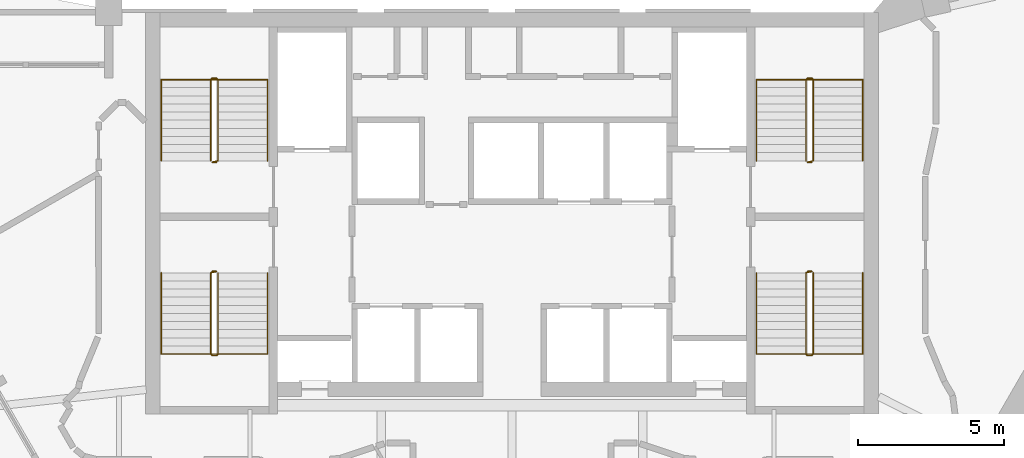
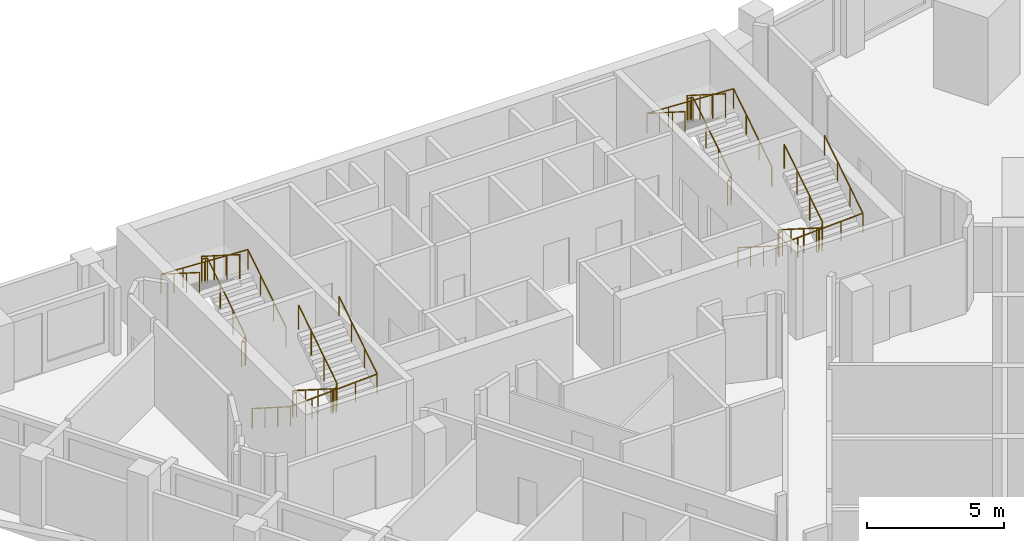
# One storey, part 9 of 9: 8 railings.
"""IFC4 building model written with IfcOpenShell, lengths in metres."""

from ifc_helpers import new_model, si_unit, direction, frame, origin, origin_2d, place, context, subcontext, project, spatial, circle, extrude, material, type_object, element, save


model = new_model("IFC4")

# Units and contexts
model_context = context("Model", 3, precision=1e-05, world=origin(), true_north=direction((0.0, 1.0)))
body_context = subcontext(model_context, "Body", "Model", "MODEL_VIEW")
ifc_project = project(units=[si_unit("LENGTHUNIT", "METRE"), si_unit("AREAUNIT", "SQUARE_METRE"), si_unit("VOLUMEUNIT", "CUBIC_METRE"), si_unit("PLANEANGLEUNIT", "RADIAN"), si_unit("MASSUNIT", "GRAM", prefix="KILO")], contexts=[model_context])

# Site, building, storey
site_placement = place(None, origin())
site = spatial("IfcSite", under=ifc_project, at=site_placement, CompositionType="ELEMENT")
building_placement = place(site_placement, origin())
building = spatial("IfcBuilding", under=site, at=building_placement, Name="Calabash Gate Tower", CompositionType="ELEMENT")
storey_placement = place(building_placement, frame((0.0, 0.0, 248.199951171875)))
storey = spatial("IfcBuildingStorey", under=building, at=storey_placement, Name="L59", CompositionType="ELEMENT", Elevation=248.199951171875)

# Railings
ifc_material_1 = material(Name="Black powder-coated steel balusters", Category="steel")
railing_type_1 = type_object("IfcRailingType", Name="Stair guard RL1100", PredefinedType="GUARDRAIL", material=ifc_material_1)
railing_1_placement = place(storey_placement, frame((-10.14990234375, 13.902587890625, 0.0)))
element("IfcRailing", 1, at=railing_1_placement, inside=storey, type_object=railing_type_1, Name="L59 ST1 stair guard 1", PredefinedType="GUARDRAIL", context=body_context, shape_type="SweptSolid", body=[
    extrude(circle(Radius=0.02392578125, at=origin_2d()), frame((0.0, 0.0, 1.076171875), z_axis=(-1.0, 0.0, 0.0), x_axis=(0.0, -1.0, 0.0)), (0.0, 0.0, 1.0), 0.150146484375),
    extrude(circle(Radius=0.02392578125, at=origin_2d()), frame((-0.150146484375, 0.0, 1.076171875), z_axis=(0.735524641326, 0.184105679453, 0.652003528208), x_axis=(-0.242814311512, 0.970072785993, 0.0)), (0.0, 0.0, 1.0), 0.271728515625),
    extrude(circle(Radius=0.02392578125, at=origin_2d()), frame((0.0498046875, 0.050048828125, 1.25341796875), z_axis=(0.0, 0.844041424197, 0.536277982245), x_axis=(-1.0, 0.0, 0.0)), (0.0, 0.0, 1.0), 3.3056640625),
    extrude(circle(Radius=0.02392578125, at=origin_2d()), frame((0.0498046875, 2.840087890625, 3.02587890625), z_axis=(-0.707106781187, 0.707106781187, 0.0), x_axis=(-0.707106781187, -0.707106781187, 0.0)), (0.0, 0.0, 1.0), 0.0703125),
    extrude(circle(Radius=0.02392578125, at=origin_2d()), frame((0.0, 2.889892578125, 3.02587890625), z_axis=(-1.0, 0.0, 0.0), x_axis=(0.0, -1.0, 0.0)), (0.0, 0.0, 1.0), 0.150146484375),
    extrude(circle(Radius=0.02392578125, at=origin_2d()), frame((-0.150146484375, 2.889892578125, 3.02587890625), z_axis=(-0.262009983441, -0.260731885961, 0.929176868105), x_axis=(0.705375805398, -0.708833529934, 0.0)), (0.0, 0.0, 1.0), 0.19091796875),
    extrude(circle(Radius=0.02392578125, at=origin_2d()), frame((-0.2001953125, 2.840087890625, 3.20361328125), z_axis=(0.0, -0.844041424197, 0.536277982245), x_axis=(1.0, 0.0, 0.0)), (0.0, 0.0, 1.0), 3.3056640625),
    extrude(circle(Radius=0.02099609375, at=origin_2d()), origin(), (0.0, 0.0, 1.0), 1.052001953125),
    extrude(circle(Radius=0.02099609375, at=origin_2d()), frame((-0.150146484375, 0.0, 0.0)), (0.0, 0.0, 1.0), 1.052001953125),
    extrude(circle(Radius=0.02099609375, at=origin_2d()), frame((0.0498046875, 0.050048828125, 0.17724609375)), (0.0, 0.0, 1.0), 1.052001953125),
    extrude(circle(Radius=0.02099609375, at=origin_2d()), frame((0.0498046875, 0.97998046875, 0.76806640625)), (0.0, 0.0, 1.0), 1.052001953125),
    extrude(circle(Radius=0.02099609375, at=origin_2d()), frame((0.0498046875, 1.91015625, 1.359130859375)), (0.0, 0.0, 1.0), 1.052001953125),
    extrude(circle(Radius=0.02099609375, at=origin_2d()), frame((0.0498046875, 2.840087890625, 1.949951171875)), (0.0, 0.0, 1.0), 1.052001953125),
    extrude(circle(Radius=0.02099609375, at=origin_2d()), frame((0.0, 2.889892578125, 1.949951171875)), (0.0, 0.0, 1.0), 1.052001953125),
    extrude(circle(Radius=0.02099609375, at=origin_2d()), frame((-0.150146484375, 2.889892578125, 1.949951171875)), (0.0, 0.0, 1.0), 1.052001953125),
    extrude(circle(Radius=0.02099609375, at=origin_2d()), frame((-0.2001953125, 2.840087890625, 2.12744140625)), (0.0, 0.0, 1.0), 1.052001953125),
    extrude(circle(Radius=0.02099609375, at=origin_2d()), frame((-0.2001953125, 1.91015625, 2.71826171875)), (0.0, 0.0, 1.0), 1.052001953125),
    extrude(circle(Radius=0.02099609375, at=origin_2d()), frame((-0.2001953125, 0.97998046875, 3.309326171875)), (0.0, 0.0, 1.0), 1.052001953125),
    extrude(circle(Radius=0.02099609375, at=origin_2d()), frame((-0.2001953125, 0.050048828125, 3.900146484375)), (0.0, 0.0, 1.0), 1.052001953125),
])
railing_2_placement = place(storey_placement, frame((-10.300048828125, 10.152587890625, 0.0)))
element("IfcRailing", 2, at=railing_2_placement, inside=storey, type_object=railing_type_1, Name="L59 ST2 stair guard 1", PredefinedType="GUARDRAIL", context=body_context, shape_type="SweptSolid", body=[
    extrude(circle(Radius=0.02392578125, at=origin_2d()), frame((0.0, 0.0, 1.076171875), z_axis=(1.0, 0.0, 0.0), x_axis=(0.0, 1.0, 0.0)), (0.0, 0.0, 1.0), 0.150146484375),
    extrude(circle(Radius=0.02392578125, at=origin_2d()), frame((0.150146484375, 0.0, 1.076171875), z_axis=(-0.735936453418, -0.183984113355, 0.651573006319), x_axis=(0.242535625036, -0.970142500145, 0.0)), (0.0, 0.0, 1.0), 0.27197265625),
    extrude(circle(Radius=0.02392578125, at=origin_2d()), frame((-0.050048828125, -0.050048828125, 1.25341796875), z_axis=(0.0, -0.844041424197, 0.536277982245), x_axis=(1.0, 0.0, 0.0)), (0.0, 0.0, 1.0), 3.3056640625),
    extrude(circle(Radius=0.02392578125, at=origin_2d()), frame((-0.050048828125, -2.840087890625, 3.02587890625), z_axis=(0.708833529934, -0.705375805398, 0.0), x_axis=(0.705375805398, 0.708833529934, 0.0)), (0.0, 0.0, 1.0), 0.070556640625),
    extrude(circle(Radius=0.02392578125, at=origin_2d()), frame((0.0, -2.889892578125, 3.02587890625), z_axis=(1.0, 0.0, 0.0), x_axis=(0.0, 1.0, 0.0)), (0.0, 0.0, 1.0), 0.150146484375),
    extrude(circle(Radius=0.02392578125, at=origin_2d()), frame((0.150146484375, -2.889892578125, 3.02587890625), z_axis=(0.26081902908, 0.26081902908, 0.92948742226), x_axis=(-0.707106781187, 0.707106781187, 0.0)), (0.0, 0.0, 1.0), 0.19091796875),
    extrude(circle(Radius=0.02392578125, at=origin_2d()), frame((0.199951171875, -2.840087890625, 3.20361328125), z_axis=(0.0, 0.844041424197, 0.536277982245), x_axis=(-1.0, 0.0, 0.0)), (0.0, 0.0, 1.0), 3.3056640625),
    extrude(circle(Radius=0.02099609375, at=origin_2d()), origin(), (0.0, 0.0, 1.0), 1.052001953125),
    extrude(circle(Radius=0.02099609375, at=origin_2d()), frame((0.150146484375, 0.0, 0.0)), (0.0, 0.0, 1.0), 1.052001953125),
    extrude(circle(Radius=0.02099609375, at=origin_2d()), frame((-0.050048828125, -0.050048828125, 0.17724609375)), (0.0, 0.0, 1.0), 1.052001953125),
    extrude(circle(Radius=0.02099609375, at=origin_2d()), frame((-0.050048828125, -0.97998046875, 0.76806640625)), (0.0, 0.0, 1.0), 1.052001953125),
    extrude(circle(Radius=0.02099609375, at=origin_2d()), frame((-0.050048828125, -1.91015625, 1.359130859375)), (0.0, 0.0, 1.0), 1.052001953125),
    extrude(circle(Radius=0.02099609375, at=origin_2d()), frame((-0.050048828125, -2.840087890625, 1.949951171875)), (0.0, 0.0, 1.0), 1.052001953125),
    extrude(circle(Radius=0.02099609375, at=origin_2d()), frame((0.0, -2.889892578125, 1.949951171875)), (0.0, 0.0, 1.0), 1.052001953125),
    extrude(circle(Radius=0.02099609375, at=origin_2d()), frame((0.150146484375, -2.889892578125, 1.949951171875)), (0.0, 0.0, 1.0), 1.052001953125),
    extrude(circle(Radius=0.02099609375, at=origin_2d()), frame((0.199951171875, -2.840087890625, 2.12744140625)), (0.0, 0.0, 1.0), 1.052001953125),
    extrude(circle(Radius=0.02099609375, at=origin_2d()), frame((0.199951171875, -1.91015625, 2.71826171875)), (0.0, 0.0, 1.0), 1.052001953125),
    extrude(circle(Radius=0.02099609375, at=origin_2d()), frame((0.199951171875, -0.97998046875, 3.309326171875)), (0.0, 0.0, 1.0), 1.052001953125),
    extrude(circle(Radius=0.02099609375, at=origin_2d()), frame((0.199951171875, -0.050048828125, 3.900146484375)), (0.0, 0.0, 1.0), 1.052001953125),
])
railing_3_placement = place(storey_placement, frame((10.300048828125, 13.902587890625, 0.0)))
element("IfcRailing", 3, at=railing_3_placement, inside=storey, type_object=railing_type_1, Name="L59 ST3 stair guard 1", PredefinedType="GUARDRAIL", context=body_context, shape_type="SweptSolid", body=[
    extrude(circle(Radius=0.02392578125, at=origin_2d()), frame((0.0, 0.0, 1.076171875), z_axis=(-1.0, 0.0, 0.0), x_axis=(0.0, -1.0, 0.0)), (0.0, 0.0, 1.0), 0.150146484375),
    extrude(circle(Radius=0.02392578125, at=origin_2d()), frame((-0.150146484375, 0.0, 1.076171875), z_axis=(0.735936453418, 0.183984113355, 0.651573006319), x_axis=(-0.242535625036, 0.970142500145, 0.0)), (0.0, 0.0, 1.0), 0.27197265625),
    extrude(circle(Radius=0.02392578125, at=origin_2d()), frame((0.050048828125, 0.050048828125, 1.25341796875), z_axis=(0.0, 0.844041424197, 0.536277982245), x_axis=(-1.0, 0.0, 0.0)), (0.0, 0.0, 1.0), 3.3056640625),
    extrude(circle(Radius=0.02392578125, at=origin_2d()), frame((0.050048828125, 2.840087890625, 3.02587890625), z_axis=(-0.708833529934, 0.705375805398, 0.0), x_axis=(-0.705375805398, -0.708833529934, 0.0)), (0.0, 0.0, 1.0), 0.070556640625),
    extrude(circle(Radius=0.02392578125, at=origin_2d()), frame((0.0, 2.889892578125, 3.02587890625), z_axis=(-1.0, 0.0, 0.0), x_axis=(0.0, -1.0, 0.0)), (0.0, 0.0, 1.0), 0.150146484375),
    extrude(circle(Radius=0.02392578125, at=origin_2d()), frame((-0.150146484375, 2.889892578125, 3.02587890625), z_axis=(-0.26081902908, -0.26081902908, 0.92948742226), x_axis=(0.707106781187, -0.707106781187, 0.0)), (0.0, 0.0, 1.0), 0.19091796875),
    extrude(circle(Radius=0.02392578125, at=origin_2d()), frame((-0.199951171875, 2.840087890625, 3.20361328125), z_axis=(0.0, -0.844041424197, 0.536277982245), x_axis=(1.0, 0.0, 0.0)), (0.0, 0.0, 1.0), 3.3056640625),
    extrude(circle(Radius=0.02099609375, at=origin_2d()), origin(), (0.0, 0.0, 1.0), 1.052001953125),
    extrude(circle(Radius=0.02099609375, at=origin_2d()), frame((-0.150146484375, 0.0, 0.0)), (0.0, 0.0, 1.0), 1.052001953125),
    extrude(circle(Radius=0.02099609375, at=origin_2d()), frame((0.050048828125, 0.050048828125, 0.17724609375)), (0.0, 0.0, 1.0), 1.052001953125),
    extrude(circle(Radius=0.02099609375, at=origin_2d()), frame((0.050048828125, 0.97998046875, 0.76806640625)), (0.0, 0.0, 1.0), 1.052001953125),
    extrude(circle(Radius=0.02099609375, at=origin_2d()), frame((0.050048828125, 1.91015625, 1.359130859375)), (0.0, 0.0, 1.0), 1.052001953125),
    extrude(circle(Radius=0.02099609375, at=origin_2d()), frame((0.050048828125, 2.840087890625, 1.949951171875)), (0.0, 0.0, 1.0), 1.052001953125),
    extrude(circle(Radius=0.02099609375, at=origin_2d()), frame((0.0, 2.889892578125, 1.949951171875)), (0.0, 0.0, 1.0), 1.052001953125),
    extrude(circle(Radius=0.02099609375, at=origin_2d()), frame((-0.150146484375, 2.889892578125, 1.949951171875)), (0.0, 0.0, 1.0), 1.052001953125),
    extrude(circle(Radius=0.02099609375, at=origin_2d()), frame((-0.199951171875, 2.840087890625, 2.12744140625)), (0.0, 0.0, 1.0), 1.052001953125),
    extrude(circle(Radius=0.02099609375, at=origin_2d()), frame((-0.199951171875, 1.91015625, 2.71826171875)), (0.0, 0.0, 1.0), 1.052001953125),
    extrude(circle(Radius=0.02099609375, at=origin_2d()), frame((-0.199951171875, 0.97998046875, 3.309326171875)), (0.0, 0.0, 1.0), 1.052001953125),
    extrude(circle(Radius=0.02099609375, at=origin_2d()), frame((-0.199951171875, 0.050048828125, 3.900146484375)), (0.0, 0.0, 1.0), 1.052001953125),
])
railing_4_placement = place(storey_placement, frame((10.14990234375, 10.152587890625, 0.0)))
element("IfcRailing", 4, at=railing_4_placement, inside=storey, type_object=railing_type_1, Name="L59 ST4 stair guard 1", PredefinedType="GUARDRAIL", context=body_context, shape_type="SweptSolid", body=[
    extrude(circle(Radius=0.02392578125, at=origin_2d()), frame((0.0, 0.0, 1.076171875), z_axis=(1.0, 0.0, 0.0), x_axis=(0.0, 1.0, 0.0)), (0.0, 0.0, 1.0), 0.150146484375),
    extrude(circle(Radius=0.02392578125, at=origin_2d()), frame((0.150146484375, 0.0, 1.076171875), z_axis=(-0.735524641326, -0.184105679453, 0.652003528208), x_axis=(0.242814311512, -0.970072785993, 0.0)), (0.0, 0.0, 1.0), 0.271728515625),
    extrude(circle(Radius=0.02392578125, at=origin_2d()), frame((-0.0498046875, -0.050048828125, 1.25341796875), z_axis=(0.0, -0.844041424197, 0.536277982245), x_axis=(1.0, 0.0, 0.0)), (0.0, 0.0, 1.0), 3.3056640625),
    extrude(circle(Radius=0.02392578125, at=origin_2d()), frame((-0.0498046875, -2.840087890625, 3.02587890625), z_axis=(0.707106781187, -0.707106781187, 0.0), x_axis=(0.707106781187, 0.707106781187, 0.0)), (0.0, 0.0, 1.0), 0.0703125),
    extrude(circle(Radius=0.02392578125, at=origin_2d()), frame((0.0, -2.889892578125, 3.02587890625), z_axis=(1.0, 0.0, 0.0), x_axis=(0.0, 1.0, 0.0)), (0.0, 0.0, 1.0), 0.150146484375),
    extrude(circle(Radius=0.02392578125, at=origin_2d()), frame((0.150146484375, -2.889892578125, 3.02587890625), z_axis=(0.262009983441, 0.260731885961, 0.929176868105), x_axis=(-0.705375805398, 0.708833529934, 0.0)), (0.0, 0.0, 1.0), 0.19091796875),
    extrude(circle(Radius=0.02392578125, at=origin_2d()), frame((0.2001953125, -2.840087890625, 3.20361328125), z_axis=(0.0, 0.844041424197, 0.536277982245), x_axis=(-1.0, 0.0, 0.0)), (0.0, 0.0, 1.0), 3.3056640625),
    extrude(circle(Radius=0.02099609375, at=origin_2d()), origin(), (0.0, 0.0, 1.0), 1.052001953125),
    extrude(circle(Radius=0.02099609375, at=origin_2d()), frame((0.150146484375, 0.0, 0.0)), (0.0, 0.0, 1.0), 1.052001953125),
    extrude(circle(Radius=0.02099609375, at=origin_2d()), frame((-0.0498046875, -0.050048828125, 0.17724609375)), (0.0, 0.0, 1.0), 1.052001953125),
    extrude(circle(Radius=0.02099609375, at=origin_2d()), frame((-0.0498046875, -0.97998046875, 0.76806640625)), (0.0, 0.0, 1.0), 1.052001953125),
    extrude(circle(Radius=0.02099609375, at=origin_2d()), frame((-0.0498046875, -1.91015625, 1.359130859375)), (0.0, 0.0, 1.0), 1.052001953125),
    extrude(circle(Radius=0.02099609375, at=origin_2d()), frame((-0.0498046875, -2.840087890625, 1.949951171875)), (0.0, 0.0, 1.0), 1.052001953125),
    extrude(circle(Radius=0.02099609375, at=origin_2d()), frame((0.0, -2.889892578125, 1.949951171875)), (0.0, 0.0, 1.0), 1.052001953125),
    extrude(circle(Radius=0.02099609375, at=origin_2d()), frame((0.150146484375, -2.889892578125, 1.949951171875)), (0.0, 0.0, 1.0), 1.052001953125),
    extrude(circle(Radius=0.02099609375, at=origin_2d()), frame((0.2001953125, -2.840087890625, 2.12744140625)), (0.0, 0.0, 1.0), 1.052001953125),
    extrude(circle(Radius=0.02099609375, at=origin_2d()), frame((0.2001953125, -1.91015625, 2.71826171875)), (0.0, 0.0, 1.0), 1.052001953125),
    extrude(circle(Radius=0.02099609375, at=origin_2d()), frame((0.2001953125, -0.97998046875, 3.309326171875)), (0.0, 0.0, 1.0), 1.052001953125),
    extrude(circle(Radius=0.02099609375, at=origin_2d()), frame((0.2001953125, -0.050048828125, 3.900146484375)), (0.0, 0.0, 1.0), 1.052001953125),
])
ifc_material_2 = material(Name="Black powder-coated steel tube 48 mm", Category="steel")
railing_type_2 = type_object("IfcRailingType", Name="Stair handrail RL900", PredefinedType="HANDRAIL", material=ifc_material_2)
railing_5_placement = place(storey_placement, frame((-8.39990234375, 13.95263671875, 0.17724609375)))
element("IfcRailing", 5, at=railing_5_placement, inside=storey, type_object=railing_type_2, Name="L59 ST1 stair handrail 1", PredefinedType="HANDRAIL", context=body_context, shape_type="SweptSolid", body=[
    extrude(circle(Radius=0.02392578125, at=origin_2d()), frame((0.0, 0.0, 0.8759765625), z_axis=(0.0, 0.844041424197, 0.536277982245), x_axis=(-1.0, 0.0, 0.0)), (0.0, 0.0, 1.0), 3.3056640625),
    extrude(circle(Radius=0.02392578125, at=origin_2d()), frame((0.0, 2.7900390625, 2.6484375), z_axis=(-0.998819872233, 0.0, 0.048568125685), x_axis=(0.0, -1.0, 0.0)), (0.0, 0.0, 1.0), 3.654541015625),
    extrude(circle(Radius=0.02392578125, at=origin_2d()), frame((-3.650146484375, 2.7900390625, 2.826171875), z_axis=(0.0, -0.844041424197, 0.536277982245), x_axis=(1.0, 0.0, 0.0)), (0.0, 0.0, 1.0), 3.3056640625),
    extrude(circle(Radius=0.02099609375, at=origin_2d()), origin(), (0.0, 0.0, 1.0), 0.851806640625),
    extrude(circle(Radius=0.02099609375, at=origin_2d()), frame((0.0, 0.929931640625, 0.5908203125)), (0.0, 0.0, 1.0), 0.851806640625),
    extrude(circle(Radius=0.02099609375, at=origin_2d()), frame((0.0, 1.860107421875, 1.181884765625)), (0.0, 0.0, 1.0), 0.851806640625),
    extrude(circle(Radius=0.02099609375, at=origin_2d()), frame((0.0, 2.7900390625, 1.772705078125)), (0.0, 0.0, 1.0), 0.851806640625),
    extrude(circle(Radius=0.02099609375, at=origin_2d()), frame((-0.91259765625, 2.7900390625, 1.817138671875)), (0.0, 0.0, 1.0), 0.851806640625),
    extrude(circle(Radius=0.02099609375, at=origin_2d()), frame((-1.8251953125, 2.7900390625, 1.861328125)), (0.0, 0.0, 1.0), 0.851806640625),
    extrude(circle(Radius=0.02099609375, at=origin_2d()), frame((-2.737548828125, 2.7900390625, 1.90576171875)), (0.0, 0.0, 1.0), 0.851806640625),
    extrude(circle(Radius=0.02099609375, at=origin_2d()), frame((-3.650146484375, 2.7900390625, 1.9501953125)), (0.0, 0.0, 1.0), 0.851806640625),
    extrude(circle(Radius=0.02099609375, at=origin_2d()), frame((-3.650146484375, 1.860107421875, 2.541015625)), (0.0, 0.0, 1.0), 0.851806640625),
    extrude(circle(Radius=0.02099609375, at=origin_2d()), frame((-3.650146484375, 0.929931640625, 3.132080078125)), (0.0, 0.0, 1.0), 0.851806640625),
    extrude(circle(Radius=0.02099609375, at=origin_2d()), frame((-3.650146484375, 0.0, 3.722900390625)), (0.0, 0.0, 1.0), 0.851806640625),
])
railing_6_placement = place(storey_placement, frame((-12.050048828125, 10.1025390625, 0.17724609375)))
element("IfcRailing", 6, at=railing_6_placement, inside=storey, type_object=railing_type_2, Name="L59 ST2 stair handrail 1", PredefinedType="HANDRAIL", context=body_context, shape_type="SweptSolid", body=[
    extrude(circle(Radius=0.02392578125, at=origin_2d()), frame((0.0, 0.0, 0.8759765625), z_axis=(0.0, -0.844041424197, 0.536277982245), x_axis=(1.0, 0.0, 0.0)), (0.0, 0.0, 1.0), 3.3056640625),
    extrude(circle(Radius=0.02392578125, at=origin_2d()), frame((0.0, -2.7900390625, 2.6484375), z_axis=(0.998819872233, 0.0, 0.048568125685), x_axis=(0.0, 1.0, 0.0)), (0.0, 0.0, 1.0), 3.654541015625),
    extrude(circle(Radius=0.02392578125, at=origin_2d()), frame((3.650146484375, -2.7900390625, 2.826171875), z_axis=(0.0, 0.844041424197, 0.536277982245), x_axis=(-1.0, 0.0, 0.0)), (0.0, 0.0, 1.0), 3.3056640625),
    extrude(circle(Radius=0.02099609375, at=origin_2d()), origin(), (0.0, 0.0, 1.0), 0.851806640625),
    extrude(circle(Radius=0.02099609375, at=origin_2d()), frame((0.0, -0.929931640625, 0.5908203125)), (0.0, 0.0, 1.0), 0.851806640625),
    extrude(circle(Radius=0.02099609375, at=origin_2d()), frame((0.0, -1.860107421875, 1.181884765625)), (0.0, 0.0, 1.0), 0.851806640625),
    extrude(circle(Radius=0.02099609375, at=origin_2d()), frame((0.0, -2.7900390625, 1.772705078125)), (0.0, 0.0, 1.0), 0.851806640625),
    extrude(circle(Radius=0.02099609375, at=origin_2d()), frame((0.91259765625, -2.7900390625, 1.817138671875)), (0.0, 0.0, 1.0), 0.851806640625),
    extrude(circle(Radius=0.02099609375, at=origin_2d()), frame((1.8251953125, -2.7900390625, 1.861328125)), (0.0, 0.0, 1.0), 0.851806640625),
    extrude(circle(Radius=0.02099609375, at=origin_2d()), frame((2.737548828125, -2.7900390625, 1.90576171875)), (0.0, 0.0, 1.0), 0.851806640625),
    extrude(circle(Radius=0.02099609375, at=origin_2d()), frame((3.650146484375, -2.7900390625, 1.9501953125)), (0.0, 0.0, 1.0), 0.851806640625),
    extrude(circle(Radius=0.02099609375, at=origin_2d()), frame((3.650146484375, -1.860107421875, 2.541015625)), (0.0, 0.0, 1.0), 0.851806640625),
    extrude(circle(Radius=0.02099609375, at=origin_2d()), frame((3.650146484375, -0.929931640625, 3.132080078125)), (0.0, 0.0, 1.0), 0.851806640625),
    extrude(circle(Radius=0.02099609375, at=origin_2d()), frame((3.650146484375, 0.0, 3.722900390625)), (0.0, 0.0, 1.0), 0.851806640625),
])
railing_7_placement = place(storey_placement, frame((12.050048828125, 13.95263671875, 0.17724609375)))
element("IfcRailing", 7, at=railing_7_placement, inside=storey, type_object=railing_type_2, Name="L59 ST3 stair handrail 1", PredefinedType="HANDRAIL", context=body_context, shape_type="SweptSolid", body=[
    extrude(circle(Radius=0.02392578125, at=origin_2d()), frame((0.0, 0.0, 0.8759765625), z_axis=(0.0, 0.844041424197, 0.536277982245), x_axis=(-1.0, 0.0, 0.0)), (0.0, 0.0, 1.0), 3.3056640625),
    extrude(circle(Radius=0.02392578125, at=origin_2d()), frame((0.0, 2.7900390625, 2.6484375), z_axis=(-0.998819872233, 0.0, 0.048568125685), x_axis=(0.0, -1.0, 0.0)), (0.0, 0.0, 1.0), 3.654541015625),
    extrude(circle(Radius=0.02392578125, at=origin_2d()), frame((-3.650146484375, 2.7900390625, 2.826171875), z_axis=(0.0, -0.844041424197, 0.536277982245), x_axis=(1.0, 0.0, 0.0)), (0.0, 0.0, 1.0), 3.3056640625),
    extrude(circle(Radius=0.02099609375, at=origin_2d()), origin(), (0.0, 0.0, 1.0), 0.851806640625),
    extrude(circle(Radius=0.02099609375, at=origin_2d()), frame((0.0, 0.929931640625, 0.5908203125)), (0.0, 0.0, 1.0), 0.851806640625),
    extrude(circle(Radius=0.02099609375, at=origin_2d()), frame((0.0, 1.860107421875, 1.181884765625)), (0.0, 0.0, 1.0), 0.851806640625),
    extrude(circle(Radius=0.02099609375, at=origin_2d()), frame((0.0, 2.7900390625, 1.772705078125)), (0.0, 0.0, 1.0), 0.851806640625),
    extrude(circle(Radius=0.02099609375, at=origin_2d()), frame((-0.91259765625, 2.7900390625, 1.817138671875)), (0.0, 0.0, 1.0), 0.851806640625),
    extrude(circle(Radius=0.02099609375, at=origin_2d()), frame((-1.8251953125, 2.7900390625, 1.861328125)), (0.0, 0.0, 1.0), 0.851806640625),
    extrude(circle(Radius=0.02099609375, at=origin_2d()), frame((-2.737548828125, 2.7900390625, 1.90576171875)), (0.0, 0.0, 1.0), 0.851806640625),
    extrude(circle(Radius=0.02099609375, at=origin_2d()), frame((-3.650146484375, 2.7900390625, 1.9501953125)), (0.0, 0.0, 1.0), 0.851806640625),
    extrude(circle(Radius=0.02099609375, at=origin_2d()), frame((-3.650146484375, 1.860107421875, 2.541015625)), (0.0, 0.0, 1.0), 0.851806640625),
    extrude(circle(Radius=0.02099609375, at=origin_2d()), frame((-3.650146484375, 0.929931640625, 3.132080078125)), (0.0, 0.0, 1.0), 0.851806640625),
    extrude(circle(Radius=0.02099609375, at=origin_2d()), frame((-3.650146484375, 0.0, 3.722900390625)), (0.0, 0.0, 1.0), 0.851806640625),
])
railing_8_placement = place(storey_placement, frame((8.39990234375, 10.1025390625, 0.17724609375)))
element("IfcRailing", 8, at=railing_8_placement, inside=storey, type_object=railing_type_2, Name="L59 ST4 stair handrail 1", PredefinedType="HANDRAIL", context=body_context, shape_type="SweptSolid", body=[
    extrude(circle(Radius=0.02392578125, at=origin_2d()), frame((0.0, 0.0, 0.8759765625), z_axis=(0.0, -0.844041424197, 0.536277982245), x_axis=(1.0, 0.0, 0.0)), (0.0, 0.0, 1.0), 3.3056640625),
    extrude(circle(Radius=0.02392578125, at=origin_2d()), frame((0.0, -2.7900390625, 2.6484375), z_axis=(0.998819872233, 0.0, 0.048568125685), x_axis=(0.0, 1.0, 0.0)), (0.0, 0.0, 1.0), 3.654541015625),
    extrude(circle(Radius=0.02392578125, at=origin_2d()), frame((3.650146484375, -2.7900390625, 2.826171875), z_axis=(0.0, 0.844041424197, 0.536277982245), x_axis=(-1.0, 0.0, 0.0)), (0.0, 0.0, 1.0), 3.3056640625),
    extrude(circle(Radius=0.02099609375, at=origin_2d()), origin(), (0.0, 0.0, 1.0), 0.851806640625),
    extrude(circle(Radius=0.02099609375, at=origin_2d()), frame((0.0, -0.929931640625, 0.5908203125)), (0.0, 0.0, 1.0), 0.851806640625),
    extrude(circle(Radius=0.02099609375, at=origin_2d()), frame((0.0, -1.860107421875, 1.181884765625)), (0.0, 0.0, 1.0), 0.851806640625),
    extrude(circle(Radius=0.02099609375, at=origin_2d()), frame((0.0, -2.7900390625, 1.772705078125)), (0.0, 0.0, 1.0), 0.851806640625),
    extrude(circle(Radius=0.02099609375, at=origin_2d()), frame((0.91259765625, -2.7900390625, 1.817138671875)), (0.0, 0.0, 1.0), 0.851806640625),
    extrude(circle(Radius=0.02099609375, at=origin_2d()), frame((1.8251953125, -2.7900390625, 1.861328125)), (0.0, 0.0, 1.0), 0.851806640625),
    extrude(circle(Radius=0.02099609375, at=origin_2d()), frame((2.737548828125, -2.7900390625, 1.90576171875)), (0.0, 0.0, 1.0), 0.851806640625),
    extrude(circle(Radius=0.02099609375, at=origin_2d()), frame((3.650146484375, -2.7900390625, 1.9501953125)), (0.0, 0.0, 1.0), 0.851806640625),
    extrude(circle(Radius=0.02099609375, at=origin_2d()), frame((3.650146484375, -1.860107421875, 2.541015625)), (0.0, 0.0, 1.0), 0.851806640625),
    extrude(circle(Radius=0.02099609375, at=origin_2d()), frame((3.650146484375, -0.929931640625, 3.132080078125)), (0.0, 0.0, 1.0), 0.851806640625),
    extrude(circle(Radius=0.02099609375, at=origin_2d()), frame((3.650146484375, 0.0, 3.722900390625)), (0.0, 0.0, 1.0), 0.851806640625),
])

save(model, "model.ifc")
